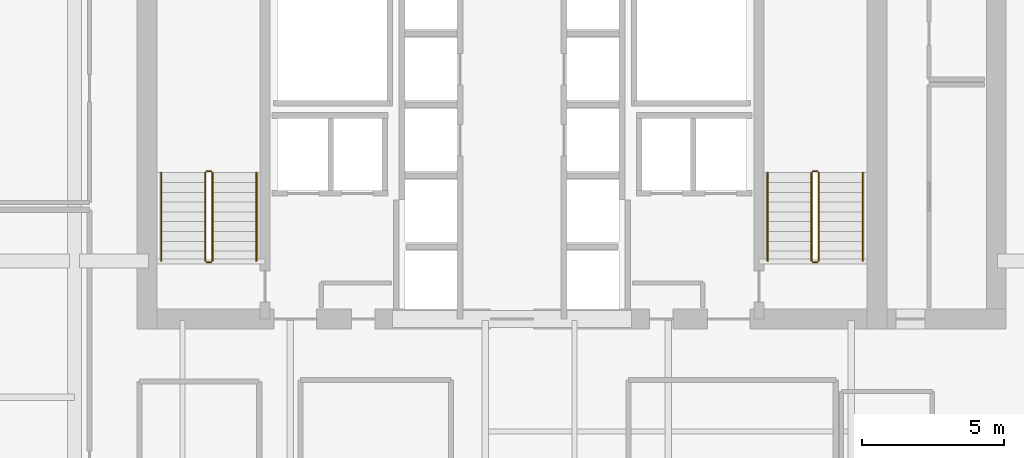
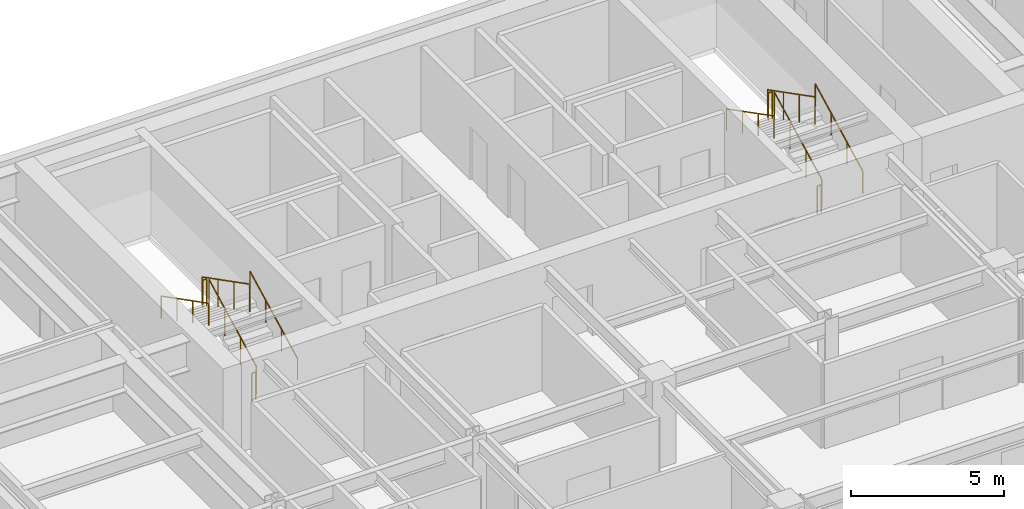
# One storey, part 17 of 17: 12 railings.
"""IFC4 building model written with IfcOpenShell, lengths in metres."""

from ifc_helpers import new_model, si_unit, direction, frame, origin, origin_2d, place, context, subcontext, project, spatial, circle, extrude, material, type_object, element, save


model = new_model("IFC4")

# Units and contexts
model_context = context("Model", 3, precision=1e-05, world=origin(), true_north=direction((0.0, 1.0)))
body_context = subcontext(model_context, "Body", "Model", "MODEL_VIEW")
ifc_project = project(units=[si_unit("LENGTHUNIT", "METRE"), si_unit("AREAUNIT", "SQUARE_METRE"), si_unit("VOLUMEUNIT", "CUBIC_METRE"), si_unit("PLANEANGLEUNIT", "RADIAN"), si_unit("MASSUNIT", "GRAM", prefix="KILO")], contexts=[model_context])

# Site, building, storey
site_placement = place(None, origin())
site = spatial("IfcSite", under=ifc_project, at=site_placement, CompositionType="ELEMENT")
building_placement = place(site_placement, origin())
building = spatial("IfcBuilding", under=site, at=building_placement, Name="Tolvann Quenvar Hotel", CompositionType="ELEMENT")
storey_placement = place(building_placement, frame((0.0, 0.0, 136.39990234375)))
storey = spatial("IfcBuildingStorey", under=building, at=storey_placement, Name="L35", CompositionType="ELEMENT", Elevation=136.39990234375)

# Railings
ifc_material = material(Name="Brushed 316 stainless steel balustrade and handrail", Category="steel")
railing_type_1 = type_object("IfcRailingType", Name="GUARDRAIL", PredefinedType="GUARDRAIL", material=ifc_material)
railing_1_placement = place(storey_placement, frame((12.449951171875, 34.0, 0.177490234375)))
element("IfcRailing", 1, at=railing_1_placement, inside=storey, type_object=railing_type_1, Name="L35 ST-C1 stair guard 1", PredefinedType="GUARDRAIL", context=body_context, shape_type="SweptSolid", body=[
    extrude(circle(Radius=0.02392578125, at=origin_2d()), frame((0.0, 0.0, 1.09619140625), z_axis=(0.0, 0.88919353882, 0.457531256332), x_axis=(-1.0, 0.0, 0.0)), (0.0, 0.0, 1.0), 3.491943359375),
    extrude(circle(Radius=0.02099609375, at=origin_2d()), origin(), (0.0, 0.0, 1.0), 1.072021484375),
    extrude(circle(Radius=0.02099609375, at=origin_2d()), frame((0.0, 1.034912109375, 0.532470703125)), (0.0, 0.0, 1.0), 1.072021484375),
    extrude(circle(Radius=0.02099609375, at=origin_2d()), frame((0.0, 2.070068359375, 1.065185546875)), (0.0, 0.0, 1.0), 1.072021484375),
    extrude(circle(Radius=0.02099609375, at=origin_2d()), frame((0.0, 3.10498046875, 1.59765625)), (0.0, 0.0, 1.0), 1.072021484375),
])
railing_2_placement = place(storey_placement, frame((12.39990234375, 37.155029296875, 1.775146484375)))
element("IfcRailing", 2, at=railing_2_placement, inside=storey, type_object=railing_type_1, Name="L35 ST-C1 stair guard 2", PredefinedType="GUARDRAIL", context=body_context, shape_type="SweptSolid", body=[
    extrude(circle(Radius=0.02392578125, at=origin_2d()), frame((0.0, 0.0, 1.09619140625), z_axis=(-1.0, 0.0, 0.0), x_axis=(0.0, -1.0, 0.0)), (0.0, 0.0, 1.0), 0.14990234375),
    extrude(circle(Radius=0.02099609375, at=origin_2d()), origin(), (0.0, 0.0, 1.0), 1.072021484375),
    extrude(circle(Radius=0.02099609375, at=origin_2d()), frame((-0.14990234375, 0.0, 0.0)), (0.0, 0.0, 1.0), 1.072021484375),
])
railing_3_placement = place(storey_placement, frame((12.199951171875, 37.10498046875, 1.95263671875)))
element("IfcRailing", 3, at=railing_3_placement, inside=storey, type_object=railing_type_1, Name="L35 ST-C1 stair guard 3", PredefinedType="GUARDRAIL", context=body_context, shape_type="SweptSolid", body=[
    extrude(circle(Radius=0.02392578125, at=origin_2d()), frame((0.0, 0.0, 1.09619140625), z_axis=(0.0, -0.889221982265, 0.45747597342), x_axis=(1.0, 0.0, 0.0)), (0.0, 0.0, 1.0), 3.49169921875),
    extrude(circle(Radius=0.02099609375, at=origin_2d()), origin(), (0.0, 0.0, 1.0), 1.072021484375),
    extrude(circle(Radius=0.02099609375, at=origin_2d()), frame((0.0, -1.034912109375, 0.532470703125)), (0.0, 0.0, 1.0), 1.072021484375),
    extrude(circle(Radius=0.02099609375, at=origin_2d()), frame((0.0, -2.070068359375, 1.06494140625)), (0.0, 0.0, 1.0), 1.072021484375),
    extrude(circle(Radius=0.02099609375, at=origin_2d()), frame((0.0, -3.10498046875, 1.597412109375)), (0.0, 0.0, 1.0), 1.072021484375),
])
railing_4_placement = place(storey_placement, frame((12.39990234375, 33.949951171875, 0.0)))
element("IfcRailing", 4, at=railing_4_placement, inside=storey, type_object=railing_type_1, Name="L35 ST-C1 stair guard 4", PredefinedType="GUARDRAIL", context=body_context, shape_type="SweptSolid", body=[
    extrude(circle(Radius=0.02392578125, at=origin_2d()), frame((0.0, 0.0, 1.09619140625), z_axis=(-1.0, 0.0, 0.0), x_axis=(0.0, -1.0, 0.0)), (0.0, 0.0, 1.0), 0.14990234375),
    extrude(circle(Radius=0.02099609375, at=origin_2d()), origin(), (0.0, 0.0, 1.0), 1.072021484375),
    extrude(circle(Radius=0.02099609375, at=origin_2d()), frame((-0.14990234375, 0.0, 0.0)), (0.0, 0.0, 1.0), 1.072021484375),
])
railing_5_placement = place(storey_placement, frame((33.800048828125, 34.0, 0.177490234375)))
element("IfcRailing", 5, at=railing_5_placement, inside=storey, type_object=railing_type_1, Name="L35 ST-C2 stair guard 1", PredefinedType="GUARDRAIL", context=body_context, shape_type="SweptSolid", body=[
    extrude(circle(Radius=0.02392578125, at=origin_2d()), frame((0.0, 0.0, 1.09619140625), z_axis=(0.0, 0.88919353882, 0.457531256332), x_axis=(-1.0, 0.0, 0.0)), (0.0, 0.0, 1.0), 3.491943359375),
    extrude(circle(Radius=0.02099609375, at=origin_2d()), origin(), (0.0, 0.0, 1.0), 1.072021484375),
    extrude(circle(Radius=0.02099609375, at=origin_2d()), frame((0.0, 1.034912109375, 0.532470703125)), (0.0, 0.0, 1.0), 1.072021484375),
    extrude(circle(Radius=0.02099609375, at=origin_2d()), frame((0.0, 2.070068359375, 1.065185546875)), (0.0, 0.0, 1.0), 1.072021484375),
    extrude(circle(Radius=0.02099609375, at=origin_2d()), frame((0.0, 3.10498046875, 1.59765625)), (0.0, 0.0, 1.0), 1.072021484375),
])
railing_6_placement = place(storey_placement, frame((33.75, 37.155029296875, 1.775146484375)))
element("IfcRailing", 6, at=railing_6_placement, inside=storey, type_object=railing_type_1, Name="L35 ST-C2 stair guard 2", PredefinedType="GUARDRAIL", context=body_context, shape_type="SweptSolid", body=[
    extrude(circle(Radius=0.02392578125, at=origin_2d()), frame((0.0, 0.0, 1.09619140625), z_axis=(-1.0, 0.0, 0.0), x_axis=(0.0, -1.0, 0.0)), (0.0, 0.0, 1.0), 0.14990234375),
    extrude(circle(Radius=0.02099609375, at=origin_2d()), origin(), (0.0, 0.0, 1.0), 1.072021484375),
    extrude(circle(Radius=0.02099609375, at=origin_2d()), frame((-0.14990234375, 0.0, 0.0)), (0.0, 0.0, 1.0), 1.072021484375),
])
railing_7_placement = place(storey_placement, frame((33.550048828125, 37.10498046875, 1.95263671875)))
element("IfcRailing", 7, at=railing_7_placement, inside=storey, type_object=railing_type_1, Name="L35 ST-C2 stair guard 3", PredefinedType="GUARDRAIL", context=body_context, shape_type="SweptSolid", body=[
    extrude(circle(Radius=0.02392578125, at=origin_2d()), frame((0.0, 0.0, 1.09619140625), z_axis=(0.0, -0.889221982265, 0.45747597342), x_axis=(1.0, 0.0, 0.0)), (0.0, 0.0, 1.0), 3.49169921875),
    extrude(circle(Radius=0.02099609375, at=origin_2d()), origin(), (0.0, 0.0, 1.0), 1.072021484375),
    extrude(circle(Radius=0.02099609375, at=origin_2d()), frame((0.0, -1.034912109375, 0.532470703125)), (0.0, 0.0, 1.0), 1.072021484375),
    extrude(circle(Radius=0.02099609375, at=origin_2d()), frame((0.0, -2.070068359375, 1.06494140625)), (0.0, 0.0, 1.0), 1.072021484375),
    extrude(circle(Radius=0.02099609375, at=origin_2d()), frame((0.0, -3.10498046875, 1.597412109375)), (0.0, 0.0, 1.0), 1.072021484375),
])
railing_8_placement = place(storey_placement, frame((33.75, 33.949951171875, 0.0)))
element("IfcRailing", 8, at=railing_8_placement, inside=storey, type_object=railing_type_1, Name="L35 ST-C2 stair guard 4", PredefinedType="GUARDRAIL", context=body_context, shape_type="SweptSolid", body=[
    extrude(circle(Radius=0.02392578125, at=origin_2d()), frame((0.0, 0.0, 1.09619140625), z_axis=(-1.0, 0.0, 0.0), x_axis=(0.0, -1.0, 0.0)), (0.0, 0.0, 1.0), 0.14990234375),
    extrude(circle(Radius=0.02099609375, at=origin_2d()), origin(), (0.0, 0.0, 1.0), 1.072021484375),
    extrude(circle(Radius=0.02099609375, at=origin_2d()), frame((-0.14990234375, 0.0, 0.0)), (0.0, 0.0, 1.0), 1.072021484375),
])
railing_type_2 = type_object("IfcRailingType", Name="HANDRAIL", PredefinedType="HANDRAIL", material=ifc_material)
railing_9_placement = place(storey_placement, frame((14.0, 34.0, 0.177490234375)))
element("IfcRailing", 9, at=railing_9_placement, inside=storey, type_object=railing_type_2, Name="L35 ST-C1 stair handrail 1", PredefinedType="HANDRAIL", context=body_context, shape_type="SweptSolid", body=[
    extrude(circle(Radius=0.02392578125, at=origin_2d()), frame((0.0, 0.0, 0.8759765625), z_axis=(0.0, 0.88919353882, 0.457531256332), x_axis=(-1.0, 0.0, 0.0)), (0.0, 0.0, 1.0), 3.491943359375),
    extrude(circle(Radius=0.02099609375, at=origin_2d()), origin(), (0.0, 0.0, 1.0), 0.851806640625),
    extrude(circle(Radius=0.02099609375, at=origin_2d()), frame((0.0, 1.034912109375, 0.532470703125)), (0.0, 0.0, 1.0), 0.851806640625),
    extrude(circle(Radius=0.02099609375, at=origin_2d()), frame((0.0, 2.070068359375, 1.065185546875)), (0.0, 0.0, 1.0), 0.851806640625),
    extrude(circle(Radius=0.02099609375, at=origin_2d()), frame((0.0, 3.10498046875, 1.59765625)), (0.0, 0.0, 1.0), 0.851806640625),
])
railing_10_placement = place(storey_placement, frame((10.64990234375, 37.10498046875, 1.95263671875)))
element("IfcRailing", 10, at=railing_10_placement, inside=storey, type_object=railing_type_2, Name="L35 ST-C1 stair handrail 2", PredefinedType="HANDRAIL", context=body_context, shape_type="SweptSolid", body=[
    extrude(circle(Radius=0.02392578125, at=origin_2d()), frame((0.0, 0.0, 0.8759765625), z_axis=(0.0, -0.889221982265, 0.45747597342), x_axis=(1.0, 0.0, 0.0)), (0.0, 0.0, 1.0), 3.49169921875),
    extrude(circle(Radius=0.02099609375, at=origin_2d()), origin(), (0.0, 0.0, 1.0), 0.851806640625),
    extrude(circle(Radius=0.02099609375, at=origin_2d()), frame((0.0, -1.034912109375, 0.532470703125)), (0.0, 0.0, 1.0), 0.851806640625),
    extrude(circle(Radius=0.02099609375, at=origin_2d()), frame((0.0, -2.070068359375, 1.06494140625)), (0.0, 0.0, 1.0), 0.851806640625),
    extrude(circle(Radius=0.02099609375, at=origin_2d()), frame((0.0, -3.10498046875, 1.597412109375)), (0.0, 0.0, 1.0), 0.851806640625),
])
railing_11_placement = place(storey_placement, frame((35.35009765625, 34.0, 0.177490234375)))
element("IfcRailing", 11, at=railing_11_placement, inside=storey, type_object=railing_type_2, Name="L35 ST-C2 stair handrail 1", PredefinedType="HANDRAIL", context=body_context, shape_type="SweptSolid", body=[
    extrude(circle(Radius=0.02392578125, at=origin_2d()), frame((0.0, 0.0, 0.8759765625), z_axis=(0.0, 0.88919353882, 0.457531256332), x_axis=(-1.0, 0.0, 0.0)), (0.0, 0.0, 1.0), 3.491943359375),
    extrude(circle(Radius=0.02099609375, at=origin_2d()), origin(), (0.0, 0.0, 1.0), 0.851806640625),
    extrude(circle(Radius=0.02099609375, at=origin_2d()), frame((0.0, 1.034912109375, 0.532470703125)), (0.0, 0.0, 1.0), 0.851806640625),
    extrude(circle(Radius=0.02099609375, at=origin_2d()), frame((0.0, 2.070068359375, 1.065185546875)), (0.0, 0.0, 1.0), 0.851806640625),
    extrude(circle(Radius=0.02099609375, at=origin_2d()), frame((0.0, 3.10498046875, 1.59765625)), (0.0, 0.0, 1.0), 0.851806640625),
])
railing_12_placement = place(storey_placement, frame((32.0, 37.10498046875, 1.95263671875)))
element("IfcRailing", 12, at=railing_12_placement, inside=storey, type_object=railing_type_2, Name="L35 ST-C2 stair handrail 2", PredefinedType="HANDRAIL", context=body_context, shape_type="SweptSolid", body=[
    extrude(circle(Radius=0.02392578125, at=origin_2d()), frame((0.0, 0.0, 0.8759765625), z_axis=(0.0, -0.889221982265, 0.45747597342), x_axis=(1.0, 0.0, 0.0)), (0.0, 0.0, 1.0), 3.49169921875),
    extrude(circle(Radius=0.02099609375, at=origin_2d()), origin(), (0.0, 0.0, 1.0), 0.851806640625),
    extrude(circle(Radius=0.02099609375, at=origin_2d()), frame((0.0, -1.034912109375, 0.532470703125)), (0.0, 0.0, 1.0), 0.851806640625),
    extrude(circle(Radius=0.02099609375, at=origin_2d()), frame((0.0, -2.070068359375, 1.06494140625)), (0.0, 0.0, 1.0), 0.851806640625),
    extrude(circle(Radius=0.02099609375, at=origin_2d()), frame((0.0, -3.10498046875, 1.597412109375)), (0.0, 0.0, 1.0), 0.851806640625),
])

save(model, "model.ifc")
